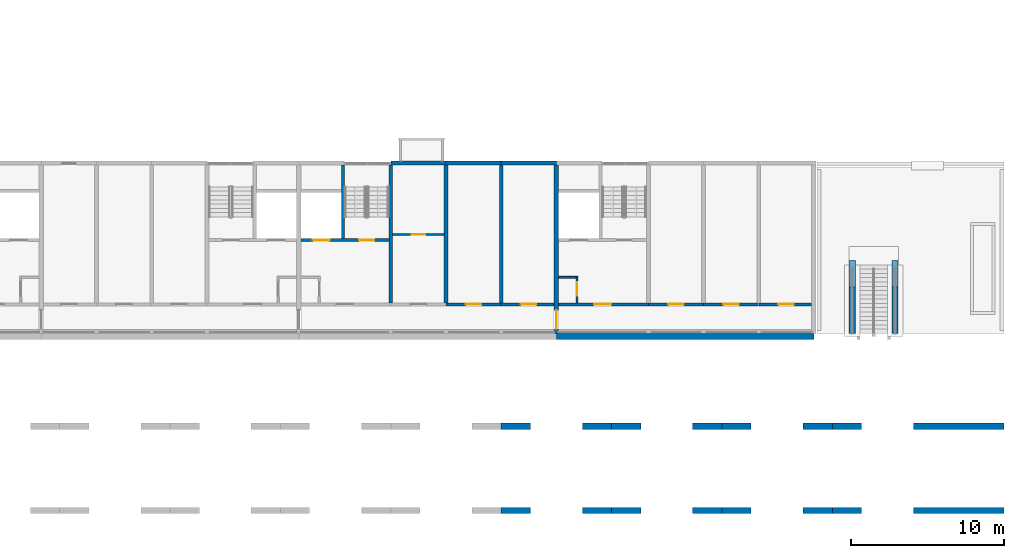
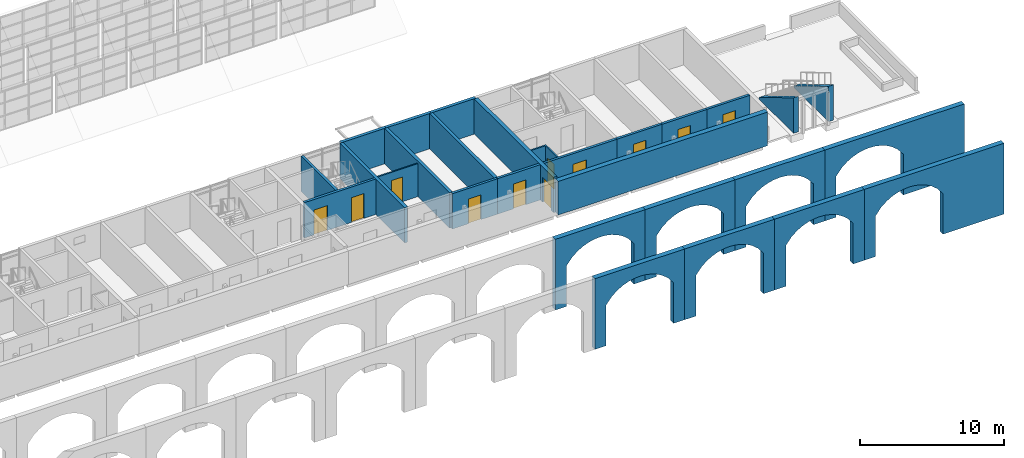
# One storey, part 73 of 122: 29 walls, 11 doors, 11 openings.
"""IFC4 building model written with IfcOpenShell, lengths in metres."""

from ifc_helpers import new_model, si_unit, direction, frame, frame_2d, origin, place, context, subcontext, project, spatial, polyline, rectangle, outline, extrude, material, layer, layer_set, type_object, element, fill, save


model = new_model("IFC4")

# Units and contexts
model_context = context("Model", 3, precision=1e-05, world=origin(), true_north=direction((0.0, 1.0)))
body_context = subcontext(model_context, "Body", "Model", "MODEL_VIEW")
ifc_project = project(units=[si_unit("LENGTHUNIT", "METRE"), si_unit("AREAUNIT", "SQUARE_METRE"), si_unit("VOLUMEUNIT", "CUBIC_METRE"), si_unit("PLANEANGLEUNIT", "RADIAN"), si_unit("MASSUNIT", "GRAM", prefix="KILO")], contexts=[model_context])

# Site, building, storey
site_placement = place(None, origin())
site = spatial("IfcSite", under=ifc_project, at=site_placement, CompositionType="ELEMENT")
building_placement = place(site_placement, origin())
building = spatial("IfcBuilding", under=site, at=building_placement, Name="Ridgestep Commons", CompositionType="ELEMENT")
storey_placement = place(building_placement, frame((0.0, 0.0, 3.0)))
storey = spatial("IfcBuildingStorey", under=building, at=storey_placement, Name="L01", CompositionType="ELEMENT", Elevation=3.0)

# Walls
ifc_material_1 = material(Name="Concrete C30/37", Category="concrete")
ifc_layer_1 = layer(ifc_material_1, 0.39990234375)
ifc_layer_set_1 = layer_set([ifc_layer_1], Name="Community retaining wall 400")
wall_type_1 = type_object("IfcWallType", Name="Community retaining wall 400", PredefinedType="SOLIDWALL", material=ifc_layer_set_1)
for number, where, z_axis, x_axis, name in (
    (1, (250.10009765625, 11.75, 0.0), (0.0, 0.0, 1.0), (0.0, 1.0, 0.0), "Stair cheek wall"),
    (2, (252.89990234375, 11.75, 0.0), (0.0, 0.0, 1.0), (0.0, 1.0, 0.0), "Stair cheek wall"),
):
    element("IfcWall", number, at=place(storey_placement, frame(where, z_axis=z_axis, x_axis=x_axis)), inside=storey, type_object=wall_type_1, Name=name, PredefinedType="SOLIDWALL", context=body_context, shape_type="SweptSolid", body=[
        extrude(outline(polyline([(0.0, 0.0), (4.760009765625, 0.0), (4.760009765625, 0.166748046875), (0.0, 3.0), (0.0, 0.0)])), frame((0.0, 0.199951171875, 0.0), z_axis=(0.0, -1.0, 0.0), x_axis=(1.0, 0.0, 0.0)), (0.0, 0.0, 1.0), 0.39990234375),
    ])
ifc_material_2 = material(Name="Precast concrete C40/50", Category="concrete")
ifc_layer_2 = layer(ifc_material_2, 0.39990234375)
ifc_layer_set_2 = layer_set([ifc_layer_2], Name="Community south arcade inner wall 400")
wall_type_2 = type_object("IfcWallType", Name="Community south arcade inner wall 400", PredefinedType="SOLIDWALL", material=ifc_layer_set_2)
wall_1_placement = place(storey_placement, frame((227.199951171875, 5.5, -3.25), z_axis=(0.0, -1.0, 0.0), x_axis=(1.0, 0.0, 0.0)))
element("IfcWall", 3, at=wall_1_placement, inside=storey, type_object=wall_type_2, Name="South arcade inner wall", PredefinedType="SOLIDWALL", context=body_context, shape_type="SweptSolid", body=[
    extrude(outline(polyline([(0.0, 0.0), (0.900146484375, 0.0), (0.900146484375, 3.449951171875), (1.35009765625, 4.01708984375), (1.800048828125, 4.3916015625), (2.25, 4.649169921875), (2.699951171875, 4.820068359375), (3.150146484375, 4.91796875), (3.60009765625, 4.949951171875), (4.050048828125, 4.91796875), (4.5, 4.820068359375), (4.949951171875, 4.649169921875), (5.400146484375, 4.3916015625), (5.85009765625, 4.01708984375), (6.300048828125, 3.449951171875), (6.300048828125, 0.0), (7.199951171875, 0.0), (7.199951171875, 6.0), (0.0, 6.0), (0.0, 0.0)])), origin(), (0.0, 0.0, -1.0), 0.39990234375),
])
wall_2_placement = place(storey_placement, frame((234.39990234375, 5.5, -3.25), z_axis=(0.0, -1.0, 0.0), x_axis=(1.0, 0.0, 0.0)))
element("IfcWall", 4, at=wall_2_placement, inside=storey, type_object=wall_type_2, Name="South arcade inner wall", PredefinedType="SOLIDWALL", context=body_context, shape_type="SweptSolid", body=[
    extrude(outline(polyline([(0.0, 0.0), (0.900146484375, 0.0), (0.900146484375, 3.449951171875), (1.35009765625, 4.01708984375), (1.800048828125, 4.3916015625), (2.25, 4.649169921875), (2.7001953125, 4.820068359375), (3.150146484375, 4.91796875), (3.60009765625, 4.949951171875), (4.050048828125, 4.91796875), (4.5, 4.820068359375), (4.9501953125, 4.649169921875), (5.400146484375, 4.3916015625), (5.85009765625, 4.01708984375), (6.300048828125, 3.449951171875), (6.300048828125, 0.0), (7.2001953125, 0.0), (7.2001953125, 6.0), (0.0, 6.0), (0.0, 0.0)])), origin(), (0.0, 0.0, -1.0), 0.39990234375),
])
wall_3_placement = place(storey_placement, frame((241.60009765625, 5.5, -3.25), z_axis=(0.0, -1.0, 0.0), x_axis=(1.0, 0.0, 0.0)))
element("IfcWall", 5, at=wall_3_placement, inside=storey, type_object=wall_type_2, Name="South arcade inner wall", PredefinedType="SOLIDWALL", context=body_context, shape_type="SweptSolid", body=[
    extrude(outline(polyline([(0.0, 0.0), (0.89990234375, 0.0), (0.89990234375, 3.449951171875), (1.349853515625, 4.01708984375), (1.7998046875, 4.3916015625), (2.25, 4.649169921875), (2.699951171875, 4.820068359375), (3.14990234375, 4.91796875), (3.599853515625, 4.949951171875), (4.0498046875, 4.91796875), (4.5, 4.820068359375), (4.949951171875, 4.649169921875), (5.39990234375, 4.3916015625), (5.849853515625, 4.01708984375), (6.2998046875, 3.449951171875), (6.2998046875, 0.0), (7.199951171875, 0.0), (7.199951171875, 6.0), (0.0, 6.0), (0.0, 0.0)])), origin(), (0.0, 0.0, -1.0), 0.39990234375),
])
wall_4_placement = place(storey_placement, frame((248.800048828125, 5.5, -3.25), z_axis=(0.0, -1.0, 0.0), x_axis=(1.0, 0.0, 0.0)))
element("IfcWall", 6, at=wall_4_placement, inside=storey, type_object=wall_type_2, Name="South arcade inner wall", PredefinedType="SOLIDWALL", context=body_context, shape_type="SweptSolid", body=[
    extrude(outline(polyline([(0.0, 0.0), (0.89990234375, 0.0), (0.89990234375, 3.449951171875), (1.349853515625, 4.01708984375), (1.800048828125, 4.3916015625), (2.25, 4.649169921875), (2.699951171875, 4.820068359375), (3.14990234375, 4.91796875), (3.599853515625, 4.949951171875), (4.050048828125, 4.91796875), (4.5, 4.820068359375), (4.949951171875, 4.649169921875), (5.39990234375, 4.3916015625), (5.849853515625, 4.01708984375), (6.300048828125, 3.449951171875), (6.300048828125, 0.0), (11.197998046875, 0.0), (11.197998046875, 6.0), (0.0, 6.0), (0.0, 0.0)])), origin(), (0.0, 0.0, -1.0), 0.39990234375),
])
ifc_material_3 = material(Name="Precast concrete C40/50", Category="concrete")
ifc_layer_3 = layer(ifc_material_3, 0.39990234375)
ifc_layer_set_3 = layer_set([ifc_layer_3], Name="Community south arcade wall 400")
wall_type_3 = type_object("IfcWallType", Name="Community south arcade wall 400", PredefinedType="SOLIDWALL", material=ifc_layer_set_3)
wall_5_placement = place(storey_placement, frame((227.199951171875, 0.001953125, -3.25), z_axis=(0.0, -1.0, 0.0), x_axis=(1.0, 0.0, 0.0)))
element("IfcWall", 7, at=wall_5_placement, inside=storey, type_object=wall_type_3, Name="South arcade wall", PredefinedType="SOLIDWALL", context=body_context, shape_type="SweptSolid", body=[
    extrude(outline(polyline([(0.0, 0.0), (0.900146484375, 0.0), (0.900146484375, 3.449951171875), (1.35009765625, 4.01708984375), (1.800048828125, 4.3916015625), (2.25, 4.649169921875), (2.699951171875, 4.820068359375), (3.150146484375, 4.91796875), (3.60009765625, 4.949951171875), (4.050048828125, 4.91796875), (4.5, 4.820068359375), (4.949951171875, 4.649169921875), (5.400146484375, 4.3916015625), (5.85009765625, 4.01708984375), (6.300048828125, 3.449951171875), (6.300048828125, 0.0), (7.199951171875, 0.0), (7.199951171875, 6.0), (0.0, 6.0), (0.0, 0.0)])), origin(), (0.0, 0.0, -1.0), 0.39990234375),
])
wall_6_placement = place(storey_placement, frame((234.39990234375, 0.001953125, -3.25), z_axis=(0.0, -1.0, 0.0), x_axis=(1.0, 0.0, 0.0)))
element("IfcWall", 8, at=wall_6_placement, inside=storey, type_object=wall_type_3, Name="South arcade wall", PredefinedType="SOLIDWALL", context=body_context, shape_type="SweptSolid", body=[
    extrude(outline(polyline([(0.0, 0.0), (0.900146484375, 0.0), (0.900146484375, 3.449951171875), (1.35009765625, 4.01708984375), (1.800048828125, 4.3916015625), (2.25, 4.649169921875), (2.7001953125, 4.820068359375), (3.150146484375, 4.91796875), (3.60009765625, 4.949951171875), (4.050048828125, 4.91796875), (4.5, 4.820068359375), (4.9501953125, 4.649169921875), (5.400146484375, 4.3916015625), (5.85009765625, 4.01708984375), (6.300048828125, 3.449951171875), (6.300048828125, 0.0), (7.2001953125, 0.0), (7.2001953125, 6.0), (0.0, 6.0), (0.0, 0.0)])), origin(), (0.0, 0.0, -1.0), 0.39990234375),
])
wall_7_placement = place(storey_placement, frame((241.60009765625, 0.001953125, -3.25), z_axis=(0.0, -1.0, 0.0), x_axis=(1.0, 0.0, 0.0)))
element("IfcWall", 9, at=wall_7_placement, inside=storey, type_object=wall_type_3, Name="South arcade wall", PredefinedType="SOLIDWALL", context=body_context, shape_type="SweptSolid", body=[
    extrude(outline(polyline([(0.0, 0.0), (0.89990234375, 0.0), (0.89990234375, 3.449951171875), (1.349853515625, 4.01708984375), (1.7998046875, 4.3916015625), (2.25, 4.649169921875), (2.699951171875, 4.820068359375), (3.14990234375, 4.91796875), (3.599853515625, 4.949951171875), (4.0498046875, 4.91796875), (4.5, 4.820068359375), (4.949951171875, 4.649169921875), (5.39990234375, 4.3916015625), (5.849853515625, 4.01708984375), (6.2998046875, 3.449951171875), (6.2998046875, 0.0), (7.199951171875, 0.0), (7.199951171875, 6.0), (0.0, 6.0), (0.0, 0.0)])), origin(), (0.0, 0.0, -1.0), 0.39990234375),
])
wall_8_placement = place(storey_placement, frame((248.800048828125, 0.001953125, -3.25), z_axis=(0.0, -1.0, 0.0), x_axis=(1.0, 0.0, 0.0)))
element("IfcWall", 10, at=wall_8_placement, inside=storey, type_object=wall_type_3, Name="South arcade wall", PredefinedType="SOLIDWALL", context=body_context, shape_type="SweptSolid", body=[
    extrude(outline(polyline([(0.0, 0.0), (0.89990234375, 0.0), (0.89990234375, 3.449951171875), (1.349853515625, 4.01708984375), (1.800048828125, 4.3916015625), (2.25, 4.649169921875), (2.699951171875, 4.820068359375), (3.14990234375, 4.91796875), (3.599853515625, 4.949951171875), (4.050048828125, 4.91796875), (4.5, 4.820068359375), (4.949951171875, 4.649169921875), (5.39990234375, 4.3916015625), (5.849853515625, 4.01708984375), (6.300048828125, 3.449951171875), (6.300048828125, 0.0), (11.197998046875, 0.0), (11.197998046875, 6.0), (0.0, 6.0), (0.0, 0.0)])), origin(), (0.0, 0.0, -1.0), 0.39990234375),
])
ifc_material_4 = material(Name="Concrete C30/37", Category="concrete")
ifc_layer_4 = layer(ifc_material_4, 0.25)
ifc_layer_set_4 = layer_set([ifc_layer_4], Name="Core cross wall 250")
wall_type_4 = type_object("IfcWallType", Name="Core cross wall 250", PredefinedType="SHEAR", material=ifc_layer_set_4)
wall_9_placement = place(storey_placement, frame((220.0, 13.75, 0.0), z_axis=(0.0, 0.0, 1.0), x_axis=(0.0, 1.0, 0.0)))
element("IfcWall", 11, at=wall_9_placement, inside=storey, type_object=wall_type_4, Name="Cross wall D-01-2200", PredefinedType="SHEAR", context=body_context, shape_type="SweptSolid", body=[
    extrude(rectangle(XDim=9.0, YDim=0.25, at=frame_2d((4.5, 0.0))), origin(), (0.0, 0.0, 1.0), 3.0),
])

# Wall, opening, door
ifc_material_5 = material(Name="Concrete C30/37", Category="concrete")
ifc_layer_5 = layer(ifc_material_5, 0.199951171875)
ifc_layer_set_5 = layer_set([ifc_layer_5], Name="Core south wall 200")
wall_type_5 = type_object("IfcWallType", Name="Core south wall 200", PredefinedType="SHEAR", material=ifc_layer_set_5)
wall_10_placement = place(storey_placement, frame((230.949951171875, 13.64990234375, 0.0), z_axis=(0.0, 0.0, 1.0), x_axis=(1.0, 0.0, 0.0)))
wall_10 = element("IfcWall", 12, at=wall_10_placement, inside=storey, type_object=wall_type_5, Name="Core south wall D6C L01", PredefinedType="SHEAR", context=body_context, shape_type="SweptSolid", body=[
    extrude(rectangle(XDim=5.85009765625, YDim=0.199951171875, at=frame_2d((2.925048828125, 0.0))), origin(), (0.0, 0.0, 1.0), 3.0),
])
opening_1_placement = place(wall_10_placement, frame((2.3125, 0.0, 0.0)))
opening_1 = element("IfcOpeningElement", 13, at=opening_1_placement, cuts=wall_10, Name="Opening D6C/01/1", PredefinedType="OPENING", context=body_context, shape_type="SweptSolid", body=[
    extrude(rectangle(XDim=1.10009765625, YDim=2.10009765625, at=frame_2d((0.550048828125, 1.050048828125))), frame((0.0, 0.10986328125, 0.0), z_axis=(0.0, -1.0, 0.0), x_axis=(1.0, 0.0, 0.0)), (0.0, 0.0, 1.0), 0.219970703125),
])
ifc_material_6 = material(Name="Steel fire door", Category="steel")
door_type_1 = type_object("IfcDoorType", Name="Lobby door 1100 x 2100 FD60", OperationType="NOTDEFINED", PredefinedType="DOOR", material=ifc_material_6)
door_1_placement = place(opening_1_placement, origin())
door_1 = element("IfcDoor", 14, at=door_1_placement, inside=storey, type_object=door_type_1, Name="Lobby door D6C/01/1", OperationType="SINGLE_SWING_LEFT", OverallHeight=2.10009765625, OverallWidth=1.10009765625, PredefinedType="DOOR", context=body_context, shape_type="SweptSolid", body=[
    extrude(rectangle(XDim=1.10009765625, YDim=2.10009765625, at=frame_2d((0.550048828125, 1.050048828125))), frame((0.0, 0.02490234375, 0.0), z_axis=(0.0, -1.0, 0.0), x_axis=(1.0, 0.0, 0.0)), (0.0, 0.0, 1.0), 0.050048828125),
])
fill(opening_1, door_1)

ifc_material_7 = material(Name="Concrete C30/37", Category="concrete")
ifc_layer_6 = layer(ifc_material_7, 0.1201171875)
ifc_layer_set_6 = layer_set([ifc_layer_6], Name="Core wall 120")
wall_type_6 = type_object("IfcWallType", Name="Core wall 120", PredefinedType="SHEAR", material=ifc_layer_set_6)
wall_11_placement = place(storey_placement, frame((232.139892578125, 13.75, 0.0), z_axis=(0.0, 0.0, 1.0), x_axis=(0.0, 1.0, 0.0)))
wall_11 = element("IfcWall", 15, at=wall_11_placement, inside=storey, type_object=wall_type_6, Name="Core riser w wall D6C L01", PredefinedType="SHEAR", context=body_context, shape_type="SweptSolid", body=[
    extrude(rectangle(XDim=1.719970703125, YDim=0.1201171875, at=frame_2d((0.85986328125, 0.0))), origin(), (0.0, 0.0, 1.0), 3.0),
])
opening_2_placement = place(wall_11_placement, frame((0.449951171875, 0.0, 0.0)))
opening_2 = element("IfcOpeningElement", 16, at=opening_2_placement, cuts=wall_11, Name="Opening D6C/01/4", PredefinedType="OPENING", context=body_context, shape_type="SweptSolid", body=[
    extrude(rectangle(XDim=0.89990234375, YDim=2.10009765625, at=frame_2d((0.449951171875, 1.050048828125))), frame((0.0, 0.070068359375, 0.0), z_axis=(0.0, -1.0, 0.0), x_axis=(1.0, 0.0, 0.0)), (0.0, 0.0, 1.0), 0.14013671875),
])
ifc_material_8 = material(Name="Steel fire door", Category="steel")
door_type_2 = type_object("IfcDoorType", Name="Riser door 900 x 2100 FD60", OperationType="NOTDEFINED", PredefinedType="DOOR", material=ifc_material_8)
door_2_placement = place(opening_2_placement, origin())
door_2 = element("IfcDoor", 17, at=door_2_placement, inside=storey, type_object=door_type_2, Name="Riser door D6C/01/4", OperationType="SINGLE_SWING_RIGHT", OverallHeight=2.10009765625, OverallWidth=0.89990234375, PredefinedType="DOOR", context=body_context, shape_type="SweptSolid", body=[
    extrude(rectangle(XDim=0.89990234375, YDim=2.10009765625, at=frame_2d((0.449951171875, 1.050048828125))), frame((0.0, 0.02490234375, 0.0), z_axis=(0.0, -1.0, 0.0), x_axis=(1.0, 0.0, 0.0)), (0.0, 0.0, 1.0), 0.050048828125),
])
fill(opening_2, door_2)

# Wall
wall_12_placement = place(storey_placement, frame((230.949951171875, 15.409912109375, 0.0), z_axis=(0.0, 0.0, 1.0), x_axis=(1.0, 0.0, 0.0)))
element("IfcWall", 18, at=wall_12_placement, inside=storey, type_object=wall_type_6, Name="Core riser n wall D6C L01", PredefinedType="SHEAR", context=body_context, shape_type="SweptSolid", body=[
    extrude(rectangle(XDim=1.130126953125, YDim=0.1201171875, at=frame_2d((0.56494140625, 0.0))), origin(), (0.0, 0.0, 1.0), 3.0),
])

# Wall, openings, doors
ifc_material_9 = material(Name="Concrete C30/37", Category="concrete")
ifc_layer_7 = layer(ifc_material_9, 0.199951171875)
ifc_layer_set_7 = layer_set([ifc_layer_7], Name="Core wall 200")
wall_type_7 = type_object("IfcWallType", Name="Core wall 200", PredefinedType="SHEAR", material=ifc_layer_set_7)
wall_13_placement = place(storey_placement, frame((214.14990234375, 17.85009765625, 0.0), z_axis=(0.0, 0.0, 1.0), x_axis=(1.0, 0.0, 0.0)))
wall_13 = element("IfcWall", 19, at=wall_13_placement, inside=storey, type_object=wall_type_7, Name="Core lobby wall D5C L01", PredefinedType="SHEAR", context=body_context, shape_type="SweptSolid", body=[
    extrude(rectangle(XDim=5.72509765625, YDim=0.199951171875, at=frame_2d((2.862548828125, 0.0))), origin(), (0.0, 0.0, 1.0), 3.0),
])
opening_3_placement = place(wall_13_placement, frame((3.77490234375, 0.0, 0.0)))
opening_3 = element("IfcOpeningElement", 20, at=opening_3_placement, cuts=wall_13, Name="Opening D5C/01/2", PredefinedType="OPENING", context=body_context, shape_type="SweptSolid", body=[
    extrude(rectangle(XDim=1.0, YDim=2.10009765625, at=frame_2d((0.5, 1.050048828125))), frame((0.0, 0.10986328125, 0.0), z_axis=(0.0, -1.0, 0.0), x_axis=(1.0, 0.0, 0.0)), (0.0, 0.0, 1.0), 0.219970703125),
])
opening_4_placement = place(wall_13_placement, frame((0.762451171875, 0.0, 0.0)))
opening_4 = element("IfcOpeningElement", 21, at=opening_4_placement, cuts=wall_13, Name="Opening D5C/01/3", PredefinedType="OPENING", context=body_context, shape_type="SweptSolid", body=[
    extrude(rectangle(XDim=1.10009765625, YDim=2.10009765625, at=frame_2d((0.550048828125, 1.050048828125))), frame((0.0, 0.10986328125, 0.0), z_axis=(0.0, -1.0, 0.0), x_axis=(1.0, 0.0, 0.0)), (0.0, 0.0, 1.0), 0.219970703125),
])
ifc_material_10 = material(Name="Stainless steel", Category="steel")
door_type_3 = type_object("IfcDoorType", Name="Lift landing door 1100 x 2100 FD60", OperationType="DOUBLE_DOOR_SLIDING", PredefinedType="DOOR", material=ifc_material_10)
door_3_placement = place(opening_4_placement, origin())
door_3 = element("IfcDoor", 22, at=door_3_placement, inside=storey, type_object=door_type_3, Name="Landing door LD D5C L01", OperationType="DOUBLE_DOOR_SLIDING", OverallHeight=2.10009765625, OverallWidth=1.10009765625, PredefinedType="DOOR", context=body_context, shape_type="SweptSolid", body=[
    extrude(rectangle(XDim=1.10009765625, YDim=2.10009765625, at=frame_2d((0.550048828125, 1.050048828125))), frame((0.0, 0.02490234375, 0.0), z_axis=(0.0, -1.0, 0.0), x_axis=(1.0, 0.0, 0.0)), (0.0, 0.0, 1.0), 0.050048828125),
])
fill(opening_4, door_3)
ifc_material_11 = material(Name="Steel fire door", Category="steel")
door_type_4 = type_object("IfcDoorType", Name="Stair door 1000 x 2100 FD60", OperationType="NOTDEFINED", PredefinedType="DOOR", material=ifc_material_11)
door_4_placement = place(opening_3_placement, origin())
door_4 = element("IfcDoor", 23, at=door_4_placement, inside=storey, type_object=door_type_4, Name="Stair door D5C/01/2", OperationType="SINGLE_SWING_RIGHT", OverallHeight=2.10009765625, OverallWidth=1.0, PredefinedType="DOOR", context=body_context, shape_type="SweptSolid", body=[
    extrude(rectangle(XDim=1.0, YDim=2.10009765625, at=frame_2d((0.5, 1.050048828125))), frame((0.0, 0.02490234375, 0.0), z_axis=(0.0, -1.0, 0.0), x_axis=(1.0, 0.0, 0.0)), (0.0, 0.0, 1.0), 0.050048828125),
])
fill(opening_3, door_4)

# Walls
wall_14_placement = place(storey_placement, frame((216.875, 17.949951171875, 0.0), z_axis=(0.0, 0.0, 1.0), x_axis=(0.0, 1.0, 0.0)))
element("IfcWall", 24, at=wall_14_placement, inside=storey, type_object=wall_type_7, Name="Core stair wall D5C L01", PredefinedType="SHEAR", context=body_context, shape_type="SweptSolid", body=[
    extrude(rectangle(XDim=4.800048828125, YDim=0.199951171875, at=frame_2d((2.39990234375, 0.0))), origin(), (0.0, 0.0, 1.0), 3.0),
])
ifc_material_12 = material(Name="Precast concrete C40/50", Category="concrete")
ifc_layer_8 = layer(ifc_material_12, 0.25)
ifc_layer_set_8 = layer_set([ifc_layer_8], Name="Cross wall 250")
wall_type_8 = type_object("IfcWallType", Name="Cross wall 250", PredefinedType="SHEAR", material=ifc_layer_set_8)
for number, where, z_axis, x_axis, name in (
    (25, (223.60009765625, 13.75, 0.0), (0.0, 0.0, 1.0), (0.0, 1.0, 0.0), "Cross wall D-01-2236"),
    (26, (227.199951171875, 13.75, 0.0), (0.0, 0.0, 1.0), (0.0, 1.0, 0.0), "Cross wall D-01-2272"),
):
    element("IfcWall", number, at=place(storey_placement, frame(where, z_axis=z_axis, x_axis=x_axis)), inside=storey, type_object=wall_type_8, Name=name, PredefinedType="SHEAR", context=body_context, shape_type="SweptSolid", body=[
        extrude(rectangle(XDim=9.0, YDim=0.25, at=frame_2d((4.5, 0.0))), origin(), (0.0, 0.0, 1.0), 3.0),
    ])

# Wall, opening, door
ifc_material_13 = material(Name="Precast concrete C40/50", Category="concrete")
ifc_layer_9 = layer(ifc_material_13, 0.300048828125)
ifc_layer_set_9 = layer_set([ifc_layer_9], Name="Division wall 300")
wall_type_9 = type_object("IfcWallType", Name="Division wall 300", PredefinedType="SHEAR", material=ifc_layer_set_9)
wall_15_placement = place(storey_placement, frame((230.800048828125, 11.75, 0.0), z_axis=(0.0, 0.0, 1.0), x_axis=(0.0, 1.0, 0.0)))
wall_15 = element("IfcWall", 27, at=wall_15_placement, inside=storey, type_object=wall_type_9, Name="Cross wall D-01-2308", PredefinedType="SHEAR", context=body_context, shape_type="SweptSolid", body=[
    extrude(rectangle(XDim=11.0, YDim=0.300048828125, at=frame_2d((5.5, 0.0))), origin(), (0.0, 0.0, 1.0), 3.0),
])
opening_5_placement = place(wall_15_placement, frame((0.300048828125, 0.0, 0.0)))
opening_5 = element("IfcOpeningElement", 28, at=opening_5_placement, cuts=wall_15, Name="Opening D/01/G2308", PredefinedType="OPENING", context=body_context, shape_type="SweptSolid", body=[
    extrude(rectangle(XDim=1.199951171875, YDim=2.10009765625, at=frame_2d((0.60009765625, 1.050048828125))), frame((0.0, 0.159912109375, 0.0), z_axis=(0.0, -1.0, 0.0), x_axis=(1.0, 0.0, 0.0)), (0.0, 0.0, 1.0), 0.320068359375),
])
ifc_material_14 = material(Name="Steel fire door", Category="steel")
door_type_5 = type_object("IfcDoorType", Name="Division fire door 1200 x 2100 EI 240", OperationType="DOUBLE_DOOR_SINGLE_SWING", PredefinedType="DOOR", material=ifc_material_14)
door_5_placement = place(opening_5_placement, origin())
door_5 = element("IfcDoor", 29, at=door_5_placement, inside=storey, type_object=door_type_5, Name="Division fire door D/01/G2308", OperationType="DOUBLE_DOOR_SINGLE_SWING", OverallHeight=2.10009765625, OverallWidth=1.199951171875, PredefinedType="DOOR", context=body_context, shape_type="SweptSolid", body=[
    extrude(rectangle(XDim=1.199951171875, YDim=2.10009765625, at=frame_2d((0.60009765625, 1.050048828125))), frame((0.0, 0.02490234375, 0.0), z_axis=(0.0, -1.0, 0.0), x_axis=(1.0, 0.0, 0.0)), (0.0, 0.0, 1.0), 0.050048828125),
])
fill(opening_5, door_5)

# Walls
ifc_material_15 = material(Name="Precast concrete C40/50", Category="concrete")
ifc_layer_10 = layer(ifc_material_15, 0.25)
ifc_layer_set_10 = layer_set([ifc_layer_10], Name="North facade panel 250")
wall_type_10 = type_object("IfcWallType", Name="North facade panel 250", PredefinedType="SOLIDWALL", material=ifc_layer_set_10)
wall_16_placement = place(storey_placement, frame((220.0, 22.875, 0.0), z_axis=(0.0, 0.0, 1.0), x_axis=(1.0, 0.0, 0.0)))
element("IfcWall", 30, at=wall_16_placement, inside=storey, type_object=wall_type_10, Name="North panel D5T3 L01", PredefinedType="SOLIDWALL", context=body_context, shape_type="SweptSolid", body=[
    extrude(rectangle(XDim=3.60009765625, YDim=0.25, at=frame_2d((1.800048828125, 0.0))), origin(), (0.0, 0.0, 1.0), 3.0),
])
wall_17_placement = place(storey_placement, frame((223.60009765625, 22.875, 0.0), z_axis=(0.0, 0.0, 1.0), x_axis=(1.0, 0.0, 0.0)))
element("IfcWall", 31, at=wall_17_placement, inside=storey, type_object=wall_type_10, Name="North panel D5T2 L01", PredefinedType="SOLIDWALL", context=body_context, shape_type="SweptSolid", body=[
    extrude(rectangle(XDim=3.599853515625, YDim=0.25, at=frame_2d((1.7998046875, 0.0))), origin(), (0.0, 0.0, 1.0), 3.0),
])
wall_18_placement = place(storey_placement, frame((227.199951171875, 22.875, 0.0), z_axis=(0.0, 0.0, 1.0), x_axis=(1.0, 0.0, 0.0)))
element("IfcWall", 32, at=wall_18_placement, inside=storey, type_object=wall_type_10, Name="North panel D5T1 L01", PredefinedType="SOLIDWALL", context=body_context, shape_type="SweptSolid", body=[
    extrude(rectangle(XDim=3.60009765625, YDim=0.25, at=frame_2d((1.800048828125, 0.0))), origin(), (0.0, 0.0, 1.0), 3.0),
])

# Wall, opening, door
ifc_material_16 = material(Name="Common brick 110 mm", Category="masonry")
ifc_layer_11 = layer(ifc_material_16, 0.110107421875)
ifc_layer_set_11 = layer_set([ifc_layer_11], Name="Partition 110")
wall_type_11 = type_object("IfcWallType", Name="Partition 110", PredefinedType="PARTITIONING", material=ifc_layer_set_11)
wall_19_placement = place(storey_placement, frame((220.125, 18.205078125, 0.0), z_axis=(0.0, 0.0, 1.0), x_axis=(1.0, 0.0, 0.0)))
wall_19 = element("IfcWall", 33, at=wall_19_placement, inside=storey, type_object=wall_type_11, Name="Partition D5-01p", PredefinedType="PARTITIONING", context=body_context, shape_type="SweptSolid", body=[
    extrude(rectangle(XDim=3.35009765625, YDim=0.110107421875, at=frame_2d((1.675048828125, 0.0))), origin(), (0.0, 0.0, 1.0), 2.800048828125),
])
opening_6_placement = place(wall_19_placement, frame((1.22509765625, 0.0, 0.0)))
opening_6 = element("IfcOpeningElement", 34, at=opening_6_placement, cuts=wall_19, Name="Opening D5-01p/2", PredefinedType="OPENING", context=body_context, shape_type="SweptSolid", body=[
    extrude(rectangle(XDim=0.89990234375, YDim=2.10009765625, at=frame_2d((0.449951171875, 1.050048828125))), frame((0.0, 0.06494140625, 0.0), z_axis=(0.0, -1.0, 0.0), x_axis=(1.0, 0.0, 0.0)), (0.0, 0.0, 1.0), 0.130126953125),
])
ifc_material_17 = material(Name="Timber door leaf", Category="wood")
door_type_6 = type_object("IfcDoorType", Name="Internal door 900 x 2100", OperationType="NOTDEFINED", PredefinedType="DOOR", material=ifc_material_17)
door_6_placement = place(opening_6_placement, origin())
door_6 = element("IfcDoor", 35, at=door_6_placement, inside=storey, type_object=door_type_6, Name="Internal door D5-01p/2", OperationType="SINGLE_SWING_LEFT", OverallHeight=2.10009765625, OverallWidth=0.89990234375, PredefinedType="DOOR", context=body_context, shape_type="SweptSolid", body=[
    extrude(rectangle(XDim=0.89990234375, YDim=2.10009765625, at=frame_2d((0.449951171875, 1.050048828125))), frame((0.0, 0.02490234375, 0.0), z_axis=(0.0, -1.0, 0.0), x_axis=(1.0, 0.0, 0.0)), (0.0, 0.0, 1.0), 0.050048828125),
])
fill(opening_6, door_6)

# Wall
ifc_material_18 = material(Name="Concrete C30/37", Category="concrete")
ifc_layer_12 = layer(ifc_material_18, 0.39990234375)
ifc_layer_set_12 = layer_set([ifc_layer_12], Name="Plinth retaining wall 400")
wall_type_12 = type_object("IfcWallType", Name="Plinth retaining wall 400", PredefinedType="SOLIDWALL", material=ifc_layer_set_12)
wall_20_placement = place(storey_placement, frame((230.800048828125, 11.550048828125, 0.0), z_axis=(0.0, 0.0, 1.0), x_axis=(1.0, 0.0, 0.0)))
element("IfcWall", 36, at=wall_20_placement, inside=storey, type_object=wall_type_12, Name="Plinth retaining wall D6 L01", PredefinedType="SOLIDWALL", context=body_context, shape_type="SweptSolid", body=[
    extrude(rectangle(XDim=16.800048828125, YDim=0.39990234375, at=frame_2d((8.39990234375, 0.0))), origin(), (0.0, 0.0, 1.0), 2.85009765625),
])

# Wall, opening, door
ifc_material_19 = material(Name="Precast concrete C40/50", Category="concrete")
ifc_layer_13 = layer(ifc_material_19, 0.199951171875)
ifc_layer_set_13 = layer_set([ifc_layer_13], Name="South facade panel 200")
wall_type_13 = type_object("IfcWallType", Name="South facade panel 200", PredefinedType="SOLIDWALL", material=ifc_layer_set_13)
wall_21_placement = place(storey_placement, frame((223.60009765625, 13.64990234375, 0.0), z_axis=(0.0, 0.0, 1.0), x_axis=(1.0, 0.0, 0.0)))
wall_21 = element("IfcWall", 37, at=wall_21_placement, inside=storey, type_object=wall_type_13, Name="South panel D5T2 L01", PredefinedType="SOLIDWALL", context=body_context, shape_type="SweptSolid", body=[
    extrude(rectangle(XDim=3.599853515625, YDim=0.199951171875, at=frame_2d((1.7998046875, 0.0))), origin(), (0.0, 0.0, 1.0), 3.0),
])
opening_7_placement = place(wall_21_placement, frame((1.300048828125, 0.0, 0.0)))
opening_7 = element("IfcOpeningElement", 38, at=opening_7_placement, cuts=wall_21, Name="Opening D5-01p/3", PredefinedType="OPENING", context=body_context, shape_type="SweptSolid", body=[
    extrude(rectangle(XDim=1.0, YDim=2.10009765625, at=frame_2d((0.5, 1.050048828125))), frame((0.0, 0.10986328125, 0.0), z_axis=(0.0, -1.0, 0.0), x_axis=(1.0, 0.0, 0.0)), (0.0, 0.0, 1.0), 0.219970703125),
])
ifc_material_20 = material(Name="Steel door leaf", Category="steel")
door_type_7 = type_object("IfcDoorType", Name="Store door 1000 x 2100", OperationType="NOTDEFINED", PredefinedType="DOOR", material=ifc_material_20)
door_7_placement = place(opening_7_placement, origin())
door_7 = element("IfcDoor", 39, at=door_7_placement, inside=storey, type_object=door_type_7, Name="Store door D5-01p/3", OperationType="SINGLE_SWING_RIGHT", OverallHeight=2.10009765625, OverallWidth=1.0, PredefinedType="DOOR", context=body_context, shape_type="SweptSolid", body=[
    extrude(rectangle(XDim=1.0, YDim=2.10009765625, at=frame_2d((0.5, 1.050048828125))), frame((0.0, 0.02490234375, 0.0), z_axis=(0.0, -1.0, 0.0), x_axis=(1.0, 0.0, 0.0)), (0.0, 0.0, 1.0), 0.050048828125),
])
fill(opening_7, door_7)

wall_22_placement = place(storey_placement, frame((227.199951171875, 13.64990234375, 0.0), z_axis=(0.0, 0.0, 1.0), x_axis=(1.0, 0.0, 0.0)))
wall_22 = element("IfcWall", 40, at=wall_22_placement, inside=storey, type_object=wall_type_13, Name="South panel D5T1 L01", PredefinedType="SOLIDWALL", context=body_context, shape_type="SweptSolid", body=[
    extrude(rectangle(XDim=3.449951171875, YDim=0.199951171875, at=frame_2d((1.72509765625, 0.0))), origin(), (0.0, 0.0, 1.0), 3.0),
])
opening_8_placement = place(wall_22_placement, frame((1.28759765625, 0.0, 0.0)))
opening_8 = element("IfcOpeningElement", 41, at=opening_8_placement, cuts=wall_22, Name="Opening D5-01p/4", PredefinedType="OPENING", context=body_context, shape_type="SweptSolid", body=[
    extrude(rectangle(XDim=1.0, YDim=2.10009765625, at=frame_2d((0.5, 1.050048828125))), frame((0.0, 0.10986328125, 0.0), z_axis=(0.0, -1.0, 0.0), x_axis=(1.0, 0.0, 0.0)), (0.0, 0.0, 1.0), 0.219970703125),
])
door_8_placement = place(opening_8_placement, origin())
door_8 = element("IfcDoor", 42, at=door_8_placement, inside=storey, type_object=door_type_7, Name="Store door D5-01p/4", OperationType="SINGLE_SWING_RIGHT", OverallHeight=2.10009765625, OverallWidth=1.0, PredefinedType="DOOR", context=body_context, shape_type="SweptSolid", body=[
    extrude(rectangle(XDim=1.0, YDim=2.10009765625, at=frame_2d((0.5, 1.050048828125))), frame((0.0, 0.02490234375, 0.0), z_axis=(0.0, -1.0, 0.0), x_axis=(1.0, 0.0, 0.0)), (0.0, 0.0, 1.0), 0.050048828125),
])
fill(opening_8, door_8)

wall_23_placement = place(storey_placement, frame((236.800048828125, 13.64990234375, 0.0), z_axis=(0.0, 0.0, 1.0), x_axis=(1.0, 0.0, 0.0)))
wall_23 = element("IfcWall", 43, at=wall_23_placement, inside=storey, type_object=wall_type_13, Name="South panel D6T3 L01", PredefinedType="SOLIDWALL", context=body_context, shape_type="SweptSolid", body=[
    extrude(rectangle(XDim=3.599853515625, YDim=0.199951171875, at=frame_2d((1.7998046875, 0.0))), origin(), (0.0, 0.0, 1.0), 3.0),
])
opening_9_placement = place(wall_23_placement, frame((1.300048828125, 0.0, 0.0)))
opening_9 = element("IfcOpeningElement", 44, at=opening_9_placement, cuts=wall_23, Name="Opening D6-01p/1", PredefinedType="OPENING", context=body_context, shape_type="SweptSolid", body=[
    extrude(rectangle(XDim=1.0, YDim=2.10009765625, at=frame_2d((0.5, 1.050048828125))), frame((0.0, 0.10986328125, 0.0), z_axis=(0.0, -1.0, 0.0), x_axis=(1.0, 0.0, 0.0)), (0.0, 0.0, 1.0), 0.219970703125),
])
door_9_placement = place(opening_9_placement, origin())
door_9 = element("IfcDoor", 45, at=door_9_placement, inside=storey, type_object=door_type_7, Name="Store door D6-01p/1", OperationType="SINGLE_SWING_RIGHT", OverallHeight=2.10009765625, OverallWidth=1.0, PredefinedType="DOOR", context=body_context, shape_type="SweptSolid", body=[
    extrude(rectangle(XDim=1.0, YDim=2.10009765625, at=frame_2d((0.5, 1.050048828125))), frame((0.0, 0.02490234375, 0.0), z_axis=(0.0, -1.0, 0.0), x_axis=(1.0, 0.0, 0.0)), (0.0, 0.0, 1.0), 0.050048828125),
])
fill(opening_9, door_9)

wall_24_placement = place(storey_placement, frame((240.39990234375, 13.64990234375, 0.0), z_axis=(0.0, 0.0, 1.0), x_axis=(1.0, 0.0, 0.0)))
wall_24 = element("IfcWall", 46, at=wall_24_placement, inside=storey, type_object=wall_type_13, Name="South panel D6T2 L01", PredefinedType="SOLIDWALL", context=body_context, shape_type="SweptSolid", body=[
    extrude(rectangle(XDim=3.60009765625, YDim=0.199951171875, at=frame_2d((1.800048828125, 0.0))), origin(), (0.0, 0.0, 1.0), 3.0),
])
opening_10_placement = place(wall_24_placement, frame((1.300048828125, 0.0, 0.0)))
opening_10 = element("IfcOpeningElement", 47, at=opening_10_placement, cuts=wall_24, Name="Opening D6-01p/2", PredefinedType="OPENING", context=body_context, shape_type="SweptSolid", body=[
    extrude(rectangle(XDim=1.0, YDim=2.10009765625, at=frame_2d((0.5, 1.050048828125))), frame((0.0, 0.10986328125, 0.0), z_axis=(0.0, -1.0, 0.0), x_axis=(1.0, 0.0, 0.0)), (0.0, 0.0, 1.0), 0.219970703125),
])
door_10_placement = place(opening_10_placement, origin())
door_10 = element("IfcDoor", 48, at=door_10_placement, inside=storey, type_object=door_type_7, Name="Store door D6-01p/2", OperationType="SINGLE_SWING_RIGHT", OverallHeight=2.10009765625, OverallWidth=1.0, PredefinedType="DOOR", context=body_context, shape_type="SweptSolid", body=[
    extrude(rectangle(XDim=1.0, YDim=2.10009765625, at=frame_2d((0.5, 1.050048828125))), frame((0.0, 0.02490234375, 0.0), z_axis=(0.0, -1.0, 0.0), x_axis=(1.0, 0.0, 0.0)), (0.0, 0.0, 1.0), 0.050048828125),
])
fill(opening_10, door_10)

wall_25_placement = place(storey_placement, frame((244.0, 13.64990234375, 0.0), z_axis=(0.0, 0.0, 1.0), x_axis=(1.0, 0.0, 0.0)))
wall_25 = element("IfcWall", 49, at=wall_25_placement, inside=storey, type_object=wall_type_13, Name="South panel D6T1 L01", PredefinedType="SOLIDWALL", context=body_context, shape_type="SweptSolid", body=[
    extrude(rectangle(XDim=3.449951171875, YDim=0.199951171875, at=frame_2d((1.72509765625, 0.0))), origin(), (0.0, 0.0, 1.0), 3.0),
])
opening_11_placement = place(wall_25_placement, frame((1.28759765625, 0.0, 0.0)))
opening_11 = element("IfcOpeningElement", 50, at=opening_11_placement, cuts=wall_25, Name="Opening D6-01p/3", PredefinedType="OPENING", context=body_context, shape_type="SweptSolid", body=[
    extrude(rectangle(XDim=1.0, YDim=2.10009765625, at=frame_2d((0.5, 1.050048828125))), frame((0.0, 0.10986328125, 0.0), z_axis=(0.0, -1.0, 0.0), x_axis=(1.0, 0.0, 0.0)), (0.0, 0.0, 1.0), 0.219970703125),
])
door_11_placement = place(opening_11_placement, origin())
door_11 = element("IfcDoor", 51, at=door_11_placement, inside=storey, type_object=door_type_7, Name="Store door D6-01p/3", OperationType="SINGLE_SWING_RIGHT", OverallHeight=2.10009765625, OverallWidth=1.0, PredefinedType="DOOR", context=body_context, shape_type="SweptSolid", body=[
    extrude(rectangle(XDim=1.0, YDim=2.10009765625, at=frame_2d((0.5, 1.050048828125))), frame((0.0, 0.02490234375, 0.0), z_axis=(0.0, -1.0, 0.0), x_axis=(1.0, 0.0, 0.0)), (0.0, 0.0, 1.0), 0.050048828125),
])
fill(opening_11, door_11)

save(model, "model.ifc")
